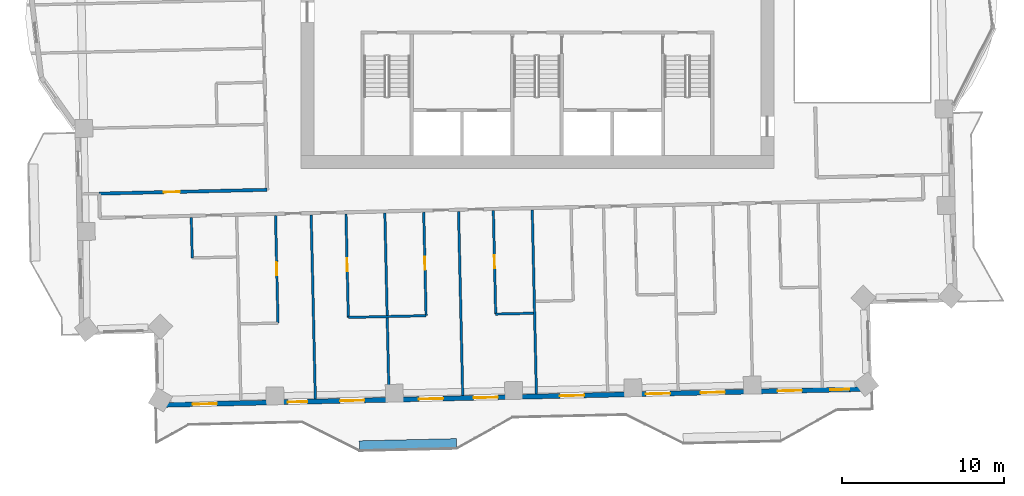
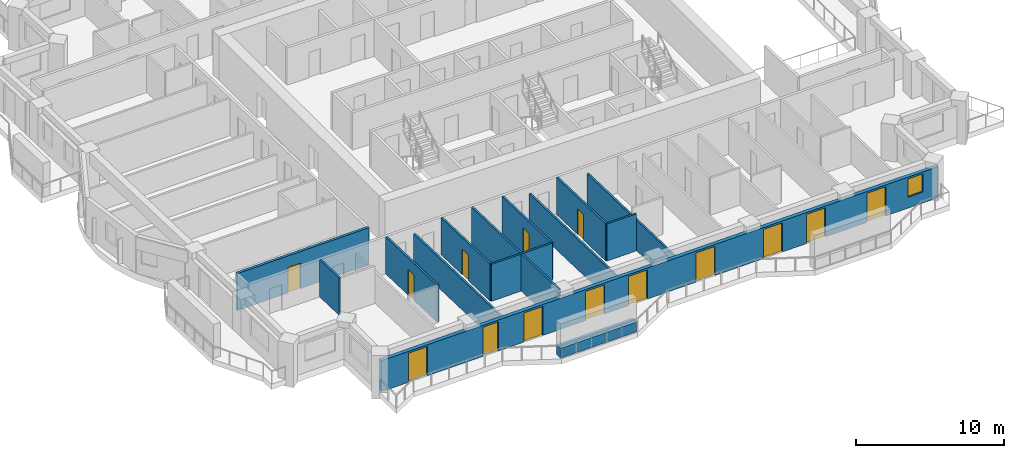
# One storey, part 6 of 17: 14 doors, 14 walls, 1 window, 15 openings.
"""IFC4 building model written with IfcOpenShell, lengths in metres."""

from ifc_helpers import new_model, si_unit, direction, frame, frame_2d, origin, place, context, subcontext, project, spatial, rectangle, extrude, material, layer, layer_set, type_object, element, fill, save


model = new_model("IFC4")

# Units and contexts
model_context = context("Model", 3, precision=1e-05, world=origin(), true_north=direction((0.0, 1.0)))
body_context = subcontext(model_context, "Body", "Model", "MODEL_VIEW")
ifc_project = project(units=[si_unit("LENGTHUNIT", "METRE"), si_unit("AREAUNIT", "SQUARE_METRE"), si_unit("VOLUMEUNIT", "CUBIC_METRE"), si_unit("PLANEANGLEUNIT", "RADIAN"), si_unit("MASSUNIT", "GRAM", prefix="KILO")], contexts=[model_context])

# Site, building, storey
site_placement = place(None, origin())
site = spatial("IfcSite", under=ifc_project, at=site_placement, CompositionType="ELEMENT")
building_placement = place(site_placement, origin())
building = spatial("IfcBuilding", under=site, at=building_placement, Name="Mangrove Gate Tower", CompositionType="ELEMENT")
storey_placement = place(building_placement, frame((0.0, 0.0, 234.699951171875)))
storey = spatial("IfcBuildingStorey", under=building, at=storey_placement, Name="L59", CompositionType="ELEMENT", Elevation=234.699951171875)

# Wall, opening, door
ifc_material_1 = material(Name="Gypsum board on steel stud, EI 60", Category="steel")
ifc_layer_1 = layer(ifc_material_1, 0.199951171875)
ifc_layer_set_1 = layer_set([ifc_layer_1], Name="Corridor wall EI 60")
wall_type_1 = type_object("IfcWallType", Name="Corridor wall EI 60", PredefinedType="PARTITIONING", material=ifc_layer_set_1)
wall_1_placement = place(storey_placement, frame((-27.050048828125, -13.14990234375, 0.0), z_axis=(0.0, 0.0, 1.0), x_axis=(0.999743679035, 0.022640146404, 0.0)))
wall_1 = element("IfcWall", 1, at=wall_1_placement, inside=storey, type_object=wall_type_1, Name="WALL-L59-033", PredefinedType="PARTITIONING", context=body_context, shape_type="SweptSolid", body=[
    extrude(rectangle(XDim=10.373779296875, YDim=0.199951171875, at=frame_2d((5.18701171875, 0.0))), origin(), (0.0, 0.0, 1.0), 3.050048828125),
])
opening_1_placement = place(wall_1_placement, frame((3.987060546875, 0.0, 0.0)))
opening_1 = element("IfcOpeningElement", 2, at=opening_1_placement, cuts=wall_1, Name="Opening AD", PredefinedType="OPENING", context=body_context, shape_type="SweptSolid", body=[
    extrude(rectangle(XDim=1.0, YDim=2.10009765625, at=frame_2d((0.5, 1.050048828125))), frame((0.0, 0.10986328125, 0.0), z_axis=(0.0, -1.0, 0.0), x_axis=(1.0, 0.0, 0.0)), (0.0, 0.0, 1.0), 0.219970703125),
])
ifc_material_2 = material(Name="Timber door leaf", Category="wood")
door_type_1 = type_object("IfcDoorType", Name="Amenity door 1000", OperationType="SINGLE_SWING_LEFT", PredefinedType="DOOR", material=ifc_material_2)
door_1_placement = place(opening_1_placement, origin())
door_1 = element("IfcDoor", 3, at=door_1_placement, inside=storey, type_object=door_type_1, Name="DOOR-L59-GAM-c5b", OperationType="SINGLE_SWING_LEFT", OverallHeight=2.10009765625, OverallWidth=1.0, PredefinedType="DOOR", context=body_context, shape_type="SweptSolid", body=[
    extrude(rectangle(XDim=1.0, YDim=2.10009765625, at=frame_2d((0.5, 1.050048828125))), frame((0.0, 0.02490234375, 0.0), z_axis=(0.0, -1.0, 0.0), x_axis=(1.0, 0.0, 0.0)), (0.0, 0.0, 1.0), 0.050048828125),
])
fill(opening_1, door_1)

# Wall, openings, doors, window
ifc_material_3 = material(Name="Limestone", Category="masonry")
ifc_layer_2 = layer(ifc_material_3, 0.0400390625, Name="Limestone cladding")
ifc_material_4 = material(Name="Ventilated air gap")
ifc_layer_3 = layer(ifc_material_4, 0.0400390625, Name="Ventilated cavity")
ifc_material_5 = material(Name="Mineral wool insulation")
ifc_layer_4 = layer(ifc_material_5, 0.06005859375, Name="Insulation")
ifc_material_6 = material(Name="Breather membrane")
ifc_layer_5 = layer(ifc_material_6, 0.001953125, Name="Breather membrane")
ifc_material_7 = material(Name="Concrete C20/25 blockwork", Category="masonry")
ifc_layer_6 = layer(ifc_material_7, 0.14990234375, Name="Blockwork backing wall")
ifc_material_8 = material(Name="Gypsum plaster")
ifc_layer_7 = layer(ifc_material_8, 0.008056640625, Name="Internal plaster")
ifc_layer_set_2 = layer_set([ifc_layer_2, ifc_layer_3, ifc_layer_4, ifc_layer_5, ifc_layer_6, ifc_layer_7], Name="External wall 300 limestone cladding")
wall_type_2 = type_object("IfcWallType", Name="External wall 300 limestone cladding", PredefinedType="SOLIDWALL", material=ifc_layer_set_2)
wall_2_placement = place(storey_placement, frame((-23.403076171875, -26.200927734375, 0.0), z_axis=(0.0, 0.0, 1.0), x_axis=(0.999742770494, 0.022680230258, 0.0)))
wall_2 = element("IfcWall", 4, at=wall_2_placement, inside=storey, type_object=wall_type_2, Name="WALL-L59-S13", PredefinedType="SOLIDWALL", context=body_context, shape_type="SweptSolid", body=[
    extrude(rectangle(XDim=43.908203125, YDim=0.300048828125, at=frame_2d((21.9541015625, 0.0))), origin(), (0.0, 0.0, 1.0), 2.550048828125),
])
opening_2_placement = place(wall_2_placement, frame((2.1240234375, 0.0, 0.0)))
opening_2 = element("IfcOpeningElement", 5, at=opening_2_placement, cuts=wall_2, Name="Opening BD1", PredefinedType="OPENING", context=body_context, shape_type="SweptSolid", body=[
    extrude(rectangle(XDim=1.5, YDim=2.39990234375, at=frame_2d((0.75, 1.199951171875))), frame((0.0, 0.159912109375, 0.0), z_axis=(0.0, -1.0, 0.0), x_axis=(1.0, 0.0, 0.0)), (0.0, 0.0, 1.0), 0.320068359375),
])
opening_3_placement = place(wall_2_placement, frame((8.009033203125, 0.0, 0.0)))
opening_3 = element("IfcOpeningElement", 6, at=opening_3_placement, cuts=wall_2, Name="Opening BD2", PredefinedType="OPENING", context=body_context, shape_type="SweptSolid", body=[
    extrude(rectangle(XDim=1.199951171875, YDim=2.39990234375, at=frame_2d((0.60009765625, 1.199951171875))), frame((0.0, 0.159912109375, 0.0), z_axis=(0.0, -1.0, 0.0), x_axis=(1.0, 0.0, 0.0)), (0.0, 0.0, 1.0), 0.320068359375),
])
opening_4_placement = place(wall_2_placement, frame((11.22509765625, 0.0, 0.0)))
opening_4 = element("IfcOpeningElement", 7, at=opening_4_placement, cuts=wall_2, Name="Opening BD1", PredefinedType="OPENING", context=body_context, shape_type="SweptSolid", body=[
    extrude(rectangle(XDim=1.5, YDim=2.39990234375, at=frame_2d((0.75, 1.199951171875))), frame((0.0, 0.159912109375, 0.0), z_axis=(0.0, -1.0, 0.0), x_axis=(1.0, 0.0, 0.0)), (0.0, 0.0, 1.0), 0.320068359375),
])
opening_5_placement = place(wall_2_placement, frame((16.093017578125, 0.0, 0.0)))
opening_5 = element("IfcOpeningElement", 8, at=opening_5_placement, cuts=wall_2, Name="Opening BD1", PredefinedType="OPENING", context=body_context, shape_type="SweptSolid", body=[
    extrude(rectangle(XDim=1.5, YDim=2.39990234375, at=frame_2d((0.75, 1.199951171875))), frame((0.0, 0.159912109375, 0.0), z_axis=(0.0, -1.0, 0.0), x_axis=(1.0, 0.0, 0.0)), (0.0, 0.0, 1.0), 0.320068359375),
])
opening_6_placement = place(wall_2_placement, frame((19.47705078125, 0.0, 0.0)))
opening_6 = element("IfcOpeningElement", 9, at=opening_6_placement, cuts=wall_2, Name="Opening BD1", PredefinedType="OPENING", context=body_context, shape_type="SweptSolid", body=[
    extrude(rectangle(XDim=1.5, YDim=2.39990234375, at=frame_2d((0.75, 1.199951171875))), frame((0.0, 0.159912109375, 0.0), z_axis=(0.0, -1.0, 0.0), x_axis=(1.0, 0.0, 0.0)), (0.0, 0.0, 1.0), 0.320068359375),
])
opening_7_placement = place(wall_2_placement, frame((24.800048828125, 0.0, 0.0)))
opening_7 = element("IfcOpeningElement", 10, at=opening_7_placement, cuts=wall_2, Name="Opening BD1", PredefinedType="OPENING", context=body_context, shape_type="SweptSolid", body=[
    extrude(rectangle(XDim=1.5, YDim=2.39990234375, at=frame_2d((0.75, 1.199951171875))), frame((0.0, 0.159912109375, 0.0), z_axis=(0.0, -1.0, 0.0), x_axis=(1.0, 0.0, 0.0)), (0.0, 0.0, 1.0), 0.320068359375),
])
opening_8_placement = place(wall_2_placement, frame((30.111083984375, 0.0, 0.0)))
opening_8 = element("IfcOpeningElement", 11, at=opening_8_placement, cuts=wall_2, Name="Opening BD1", PredefinedType="OPENING", context=body_context, shape_type="SweptSolid", body=[
    extrude(rectangle(XDim=1.5, YDim=2.39990234375, at=frame_2d((0.75, 1.199951171875))), frame((0.0, 0.159912109375, 0.0), z_axis=(0.0, -1.0, 0.0), x_axis=(1.0, 0.0, 0.0)), (0.0, 0.0, 1.0), 0.320068359375),
])
opening_9_placement = place(wall_2_placement, frame((33.4951171875, 0.0, 0.0)))
opening_9 = element("IfcOpeningElement", 12, at=opening_9_placement, cuts=wall_2, Name="Opening BD1", PredefinedType="OPENING", context=body_context, shape_type="SweptSolid", body=[
    extrude(rectangle(XDim=1.5, YDim=2.39990234375, at=frame_2d((0.75, 1.199951171875))), frame((0.0, 0.159912109375, 0.0), z_axis=(0.0, -1.0, 0.0), x_axis=(1.0, 0.0, 0.0)), (0.0, 0.0, 1.0), 0.320068359375),
])
opening_10_placement = place(wall_2_placement, frame((38.2451171875, 0.0, 0.0)))
opening_10 = element("IfcOpeningElement", 13, at=opening_10_placement, cuts=wall_2, Name="Opening BD1", PredefinedType="OPENING", context=body_context, shape_type="SweptSolid", body=[
    extrude(rectangle(XDim=1.5, YDim=2.39990234375, at=frame_2d((0.75, 1.199951171875))), frame((0.0, 0.159912109375, 0.0), z_axis=(0.0, -1.0, 0.0), x_axis=(1.0, 0.0, 0.0)), (0.0, 0.0, 1.0), 0.320068359375),
])
opening_11_placement = place(wall_2_placement, frame((41.48193359375, 0.0, 0.89990234375)))
opening_11 = element("IfcOpeningElement", 14, at=opening_11_placement, cuts=wall_2, Name="Opening W1", PredefinedType="OPENING", context=body_context, shape_type="SweptSolid", body=[
    extrude(rectangle(XDim=1.199951171875, YDim=1.5, at=frame_2d((0.60009765625, 0.75))), frame((0.0, 0.159912109375, 0.0), z_axis=(0.0, -1.0, 0.0), x_axis=(1.0, 0.0, 0.0)), (0.0, 0.0, 1.0), 0.320068359375),
])
ifc_material_9 = material(Name="Aluminium frame with laminated clear glass", Category="aluminium")
door_type_2 = type_object("IfcDoorType", Name="Balcony sliding door 1200x2400", OperationType="SLIDING_TO_LEFT", PredefinedType="DOOR", material=ifc_material_9)
door_2_placement = place(opening_3_placement, origin())
door_2 = element("IfcDoor", 15, at=door_2_placement, inside=storey, type_object=door_type_2, Name="DOOR-L59-S13-2", OperationType="SLIDING_TO_LEFT", OverallHeight=2.39990234375, OverallWidth=1.199951171875, PredefinedType="DOOR", context=body_context, shape_type="SweptSolid", body=[
    extrude(rectangle(XDim=1.199951171875, YDim=2.39990234375, at=frame_2d((0.60009765625, 1.199951171875))), frame((0.0, 0.02490234375, 0.0), z_axis=(0.0, -1.0, 0.0), x_axis=(1.0, 0.0, 0.0)), (0.0, 0.0, 1.0), 0.050048828125),
])
fill(opening_3, door_2)
ifc_material_10 = material(Name="Aluminium frame with laminated clear glass", Category="aluminium")
door_type_3 = type_object("IfcDoorType", Name="Balcony sliding door 1500x2400", OperationType="SLIDING_TO_LEFT", PredefinedType="DOOR", material=ifc_material_10)
door_3_placement = place(opening_2_placement, origin())
door_3 = element("IfcDoor", 16, at=door_3_placement, inside=storey, type_object=door_type_3, Name="DOOR-L59-S13-1", OperationType="SLIDING_TO_LEFT", OverallHeight=2.39990234375, OverallWidth=1.5, PredefinedType="DOOR", context=body_context, shape_type="SweptSolid", body=[
    extrude(rectangle(XDim=1.5, YDim=2.39990234375, at=frame_2d((0.75, 1.199951171875))), frame((0.0, 0.02490234375, 0.0), z_axis=(0.0, -1.0, 0.0), x_axis=(1.0, 0.0, 0.0)), (0.0, 0.0, 1.0), 0.050048828125),
])
fill(opening_2, door_3)
door_4_placement = place(opening_4_placement, origin())
door_4 = element("IfcDoor", 17, at=door_4_placement, inside=storey, type_object=door_type_3, Name="DOOR-L59-S13-3", OperationType="SLIDING_TO_LEFT", OverallHeight=2.39990234375, OverallWidth=1.5, PredefinedType="DOOR", context=body_context, shape_type="SweptSolid", body=[
    extrude(rectangle(XDim=1.5, YDim=2.39990234375, at=frame_2d((0.75, 1.199951171875))), frame((0.0, 0.02490234375, 0.0), z_axis=(0.0, -1.0, 0.0), x_axis=(1.0, 0.0, 0.0)), (0.0, 0.0, 1.0), 0.050048828125),
])
fill(opening_4, door_4)
door_5_placement = place(opening_5_placement, origin())
door_5 = element("IfcDoor", 18, at=door_5_placement, inside=storey, type_object=door_type_3, Name="DOOR-L59-S13-4", OperationType="SLIDING_TO_LEFT", OverallHeight=2.39990234375, OverallWidth=1.5, PredefinedType="DOOR", context=body_context, shape_type="SweptSolid", body=[
    extrude(rectangle(XDim=1.5, YDim=2.39990234375, at=frame_2d((0.75, 1.199951171875))), frame((0.0, 0.02490234375, 0.0), z_axis=(0.0, -1.0, 0.0), x_axis=(1.0, 0.0, 0.0)), (0.0, 0.0, 1.0), 0.050048828125),
])
fill(opening_5, door_5)
door_6_placement = place(opening_6_placement, origin())
door_6 = element("IfcDoor", 19, at=door_6_placement, inside=storey, type_object=door_type_3, Name="DOOR-L59-S13-5", OperationType="SLIDING_TO_LEFT", OverallHeight=2.39990234375, OverallWidth=1.5, PredefinedType="DOOR", context=body_context, shape_type="SweptSolid", body=[
    extrude(rectangle(XDim=1.5, YDim=2.39990234375, at=frame_2d((0.75, 1.199951171875))), frame((0.0, 0.02490234375, 0.0), z_axis=(0.0, -1.0, 0.0), x_axis=(1.0, 0.0, 0.0)), (0.0, 0.0, 1.0), 0.050048828125),
])
fill(opening_6, door_6)
door_7_placement = place(opening_7_placement, origin())
door_7 = element("IfcDoor", 20, at=door_7_placement, inside=storey, type_object=door_type_3, Name="DOOR-L59-S13-6", OperationType="SLIDING_TO_LEFT", OverallHeight=2.39990234375, OverallWidth=1.5, PredefinedType="DOOR", context=body_context, shape_type="SweptSolid", body=[
    extrude(rectangle(XDim=1.5, YDim=2.39990234375, at=frame_2d((0.75, 1.199951171875))), frame((0.0, 0.02490234375, 0.0), z_axis=(0.0, -1.0, 0.0), x_axis=(1.0, 0.0, 0.0)), (0.0, 0.0, 1.0), 0.050048828125),
])
fill(opening_7, door_7)
door_8_placement = place(opening_8_placement, origin())
door_8 = element("IfcDoor", 21, at=door_8_placement, inside=storey, type_object=door_type_3, Name="DOOR-L59-S13-7", OperationType="SLIDING_TO_LEFT", OverallHeight=2.39990234375, OverallWidth=1.5, PredefinedType="DOOR", context=body_context, shape_type="SweptSolid", body=[
    extrude(rectangle(XDim=1.5, YDim=2.39990234375, at=frame_2d((0.75, 1.199951171875))), frame((0.0, 0.02490234375, 0.0), z_axis=(0.0, -1.0, 0.0), x_axis=(1.0, 0.0, 0.0)), (0.0, 0.0, 1.0), 0.050048828125),
])
fill(opening_8, door_8)
door_9_placement = place(opening_9_placement, origin())
door_9 = element("IfcDoor", 22, at=door_9_placement, inside=storey, type_object=door_type_3, Name="DOOR-L59-S13-8", OperationType="SLIDING_TO_LEFT", OverallHeight=2.39990234375, OverallWidth=1.5, PredefinedType="DOOR", context=body_context, shape_type="SweptSolid", body=[
    extrude(rectangle(XDim=1.5, YDim=2.39990234375, at=frame_2d((0.75, 1.199951171875))), frame((0.0, 0.02490234375, 0.0), z_axis=(0.0, -1.0, 0.0), x_axis=(1.0, 0.0, 0.0)), (0.0, 0.0, 1.0), 0.050048828125),
])
fill(opening_9, door_9)
door_10_placement = place(opening_10_placement, origin())
door_10 = element("IfcDoor", 23, at=door_10_placement, inside=storey, type_object=door_type_3, Name="DOOR-L59-S13-9", OperationType="SLIDING_TO_LEFT", OverallHeight=2.39990234375, OverallWidth=1.5, PredefinedType="DOOR", context=body_context, shape_type="SweptSolid", body=[
    extrude(rectangle(XDim=1.5, YDim=2.39990234375, at=frame_2d((0.75, 1.199951171875))), frame((0.0, 0.02490234375, 0.0), z_axis=(0.0, -1.0, 0.0), x_axis=(1.0, 0.0, 0.0)), (0.0, 0.0, 1.0), 0.050048828125),
])
fill(opening_10, door_10)
ifc_material_11 = material(Name="Aluminium frame with double-glazed low-e glass", Category="aluminium")
window_type = type_object("IfcWindowType", Name="Side lite 1200x1500", PartitioningType="SINGLE_PANEL", PredefinedType="WINDOW", material=ifc_material_11)
window_placement = place(opening_11_placement, origin())
window = element("IfcWindow", 24, at=window_placement, inside=storey, type_object=window_type, Name="WIN-L59-S13-10", OverallHeight=1.5, OverallWidth=1.199951171875, PartitioningType="SINGLE_PANEL", PredefinedType="WINDOW", context=body_context, shape_type="SweptSolid", body=[
    extrude(rectangle(XDim=1.199951171875, YDim=1.5, at=frame_2d((0.60009765625, 0.75))), frame((0.0, 0.030029296875, 0.0), z_axis=(0.0, -1.0, 0.0), x_axis=(1.0, 0.0, 0.0)), (0.0, 0.0, 1.0), 0.06005859375),
])
fill(opening_11, window)

# Walls
ifc_material_12 = material(Name="Gypsum board on steel stud, EI 60", Category="steel")
ifc_layer_8 = layer(ifc_material_12, 0.14990234375)
ifc_layer_set_3 = layer_set([ifc_layer_8], Name="Party wall 150 EI 60")
wall_type_3 = type_object("IfcWallType", Name="Party wall 150 EI 60", PredefinedType="PARTITIONING", material=ifc_layer_set_3)
wall_3_placement = place(storey_placement, frame((-13.705078125, -25.8310546875, 0.0), z_axis=(0.0, 0.0, 1.0), x_axis=(-0.022662905301, 0.999743163379, 0.0)))
element("IfcWall", 25, at=wall_3_placement, inside=storey, type_object=wall_type_3, Name="WALL-L59-002", PredefinedType="PARTITIONING", context=body_context, shape_type="SweptSolid", body=[
    extrude(rectangle(XDim=11.3759765625, YDim=0.14990234375, at=frame_2d((5.68798828125, 0.0))), origin(), (0.0, 0.0, 1.0), 2.5),
])
wall_4_placement = place(storey_placement, frame((-9.156005859375, -25.72802734375, 0.0), z_axis=(0.0, 0.0, 1.0), x_axis=(-0.022684355347, 0.999742676904, 0.0)))
element("IfcWall", 26, at=wall_4_placement, inside=storey, type_object=wall_type_3, Name="WALL-L59-003", PredefinedType="PARTITIONING", context=body_context, shape_type="SweptSolid", body=[
    extrude(rectangle(XDim=11.3759765625, YDim=0.14990234375, at=frame_2d((5.68798828125, 0.0))), origin(), (0.0, 0.0, 1.0), 3.050048828125),
])
for number, where, z_axis, x_axis, name in (
    (27, (-4.60693359375, -25.6240234375, 0.0), (0.0, 0.0, 1.0), (-0.022684355347, 0.999742676904, 0.0), "WALL-L59-004"),
    (28, (-0.05810546875, -25.52099609375, 0.0), (0.0, 0.0, 1.0), (-0.022662905301, 0.999743163379, 0.0), "WALL-L59-005"),
):
    element("IfcWall", number, at=place(storey_placement, frame(where, z_axis=z_axis, x_axis=x_axis)), inside=storey, type_object=wall_type_3, Name=name, PredefinedType="PARTITIONING", context=body_context, shape_type="SweptSolid", body=[
        extrude(rectangle(XDim=11.3759765625, YDim=0.14990234375, at=frame_2d((5.68798828125, 0.0))), origin(), (0.0, 0.0, 1.0), 2.5),
    ])

# Wall, opening, door
wall_5_placement = place(storey_placement, frame((-16.010986328125, -21.14599609375, 0.0), z_axis=(0.0, 0.0, 1.0), x_axis=(-0.022760662159, 0.999740942574, 0.0)))
wall_5 = element("IfcWall", 29, at=wall_5_placement, inside=storey, type_object=wall_type_3, Name="WALL-L59-010", PredefinedType="PARTITIONING", context=body_context, shape_type="SweptSolid", body=[
    extrude(rectangle(XDim=6.6396484375, YDim=0.14990234375, at=frame_2d((3.31982421875, 0.0))), origin(), (0.0, 0.0, 1.0), 3.050048828125),
])
opening_12_placement = place(wall_5_placement, frame((2.969970703125, 0.0, 0.0)))
opening_12 = element("IfcOpeningElement", 30, at=opening_12_placement, cuts=wall_5, Name="Opening ED", PredefinedType="OPENING", context=body_context, shape_type="SweptSolid", body=[
    extrude(rectangle(XDim=0.800048828125, YDim=2.10009765625, at=frame_2d((0.39990234375, 1.050048828125))), frame((0.0, 0.0849609375, 0.0), z_axis=(0.0, -1.0, 0.0), x_axis=(1.0, 0.0, 0.0)), (0.0, 0.0, 1.0), 0.169921875),
])
ifc_material_13 = material(Name="Timber door leaf", Category="wood")
door_type_4 = type_object("IfcDoorType", Name="En-suite door 800", OperationType="SINGLE_SWING_LEFT", PredefinedType="DOOR", material=ifc_material_13)
door_11_placement = place(opening_12_placement, origin())
door_11 = element("IfcDoor", 31, at=door_11_placement, inside=storey, type_object=door_type_4, Name="DOOR-L59-ENS-c101", OperationType="SINGLE_SWING_LEFT", OverallHeight=2.10009765625, OverallWidth=0.800048828125, PredefinedType="DOOR", context=body_context, shape_type="SweptSolid", body=[
    extrude(rectangle(XDim=0.800048828125, YDim=2.10009765625, at=frame_2d((0.39990234375, 1.050048828125))), frame((0.0, 0.02490234375, 0.0), z_axis=(0.0, -1.0, 0.0), x_axis=(1.0, 0.0, 0.0)), (0.0, 0.0, 1.0), 0.050048828125),
])
fill(opening_12, door_11)

wall_6_placement = place(storey_placement, frame((-11.66796875, -20.797119140625, 0.0), z_axis=(0.0, 0.0, 1.0), x_axis=(-0.022695368097, 0.999742426962, 0.0)))
wall_6 = element("IfcWall", 32, at=wall_6_placement, inside=storey, type_object=wall_type_3, Name="WALL-L59-014", PredefinedType="PARTITIONING", context=body_context, shape_type="SweptSolid", body=[
    extrude(rectangle(XDim=6.389892578125, YDim=0.14990234375, at=frame_2d((3.19482421875, 0.0))), origin(), (0.0, 0.0, 1.0), 3.050048828125),
])
opening_13_placement = place(wall_6_placement, frame((2.844970703125, 0.0, 0.0)))
opening_13 = element("IfcOpeningElement", 33, at=opening_13_placement, cuts=wall_6, Name="Opening ED", PredefinedType="OPENING", context=body_context, shape_type="SweptSolid", body=[
    extrude(rectangle(XDim=0.800048828125, YDim=2.10009765625, at=frame_2d((0.39990234375, 1.050048828125))), frame((0.0, 0.0849609375, 0.0), z_axis=(0.0, -1.0, 0.0), x_axis=(1.0, 0.0, 0.0)), (0.0, 0.0, 1.0), 0.169921875),
])
door_12_placement = place(opening_13_placement, origin())
door_12 = element("IfcDoor", 34, at=door_12_placement, inside=storey, type_object=door_type_4, Name="DOOR-L59-ENS-c102", OperationType="SINGLE_SWING_RIGHT", OverallHeight=2.10009765625, OverallWidth=0.800048828125, PredefinedType="DOOR", context=body_context, shape_type="SweptSolid", body=[
    extrude(rectangle(XDim=0.800048828125, YDim=2.10009765625, at=frame_2d((0.39990234375, 1.050048828125))), frame((0.0, 0.02490234375, 0.0), z_axis=(0.0, -1.0, 0.0), x_axis=(1.0, 0.0, 0.0)), (0.0, 0.0, 1.0), 0.050048828125),
])
fill(opening_13, door_12)

wall_7_placement = place(storey_placement, frame((-6.868896484375, -20.68798828125, 0.0), z_axis=(0.0, 0.0, 1.0), x_axis=(-0.022696235044, 0.99974240728, 0.0)))
wall_7 = element("IfcWall", 35, at=wall_7_placement, inside=storey, type_object=wall_type_3, Name="WALL-L59-015", PredefinedType="PARTITIONING", context=body_context, shape_type="SweptSolid", body=[
    extrude(rectangle(XDim=6.3896484375, YDim=0.14990234375, at=frame_2d((3.19482421875, 0.0))), origin(), (0.0, 0.0, 1.0), 3.050048828125),
])
opening_14_placement = place(wall_7_placement, frame((2.844970703125, 0.0, 0.0)))
opening_14 = element("IfcOpeningElement", 36, at=opening_14_placement, cuts=wall_7, Name="Opening ED", PredefinedType="OPENING", context=body_context, shape_type="SweptSolid", body=[
    extrude(rectangle(XDim=0.800048828125, YDim=2.10009765625, at=frame_2d((0.39990234375, 1.050048828125))), frame((0.0, 0.0849609375, 0.0), z_axis=(0.0, -1.0, 0.0), x_axis=(1.0, 0.0, 0.0)), (0.0, 0.0, 1.0), 0.169921875),
])
door_13_placement = place(opening_14_placement, origin())
door_13 = element("IfcDoor", 37, at=door_13_placement, inside=storey, type_object=door_type_4, Name="DOOR-L59-ENS-c103", OperationType="SINGLE_SWING_LEFT", OverallHeight=2.10009765625, OverallWidth=0.800048828125, PredefinedType="DOOR", context=body_context, shape_type="SweptSolid", body=[
    extrude(rectangle(XDim=0.800048828125, YDim=2.10009765625, at=frame_2d((0.39990234375, 1.050048828125))), frame((0.0, 0.02490234375, 0.0), z_axis=(0.0, -1.0, 0.0), x_axis=(1.0, 0.0, 0.0)), (0.0, 0.0, 1.0), 0.050048828125),
])
fill(opening_14, door_13)

wall_8_placement = place(storey_placement, frame((-2.571044921875, -20.591064453125, 0.0), z_axis=(0.0, 0.0, 1.0), x_axis=(-0.022695368097, 0.999742426962, 0.0)))
wall_8 = element("IfcWall", 38, at=wall_8_placement, inside=storey, type_object=wall_type_3, Name="WALL-L59-016", PredefinedType="PARTITIONING", context=body_context, shape_type="SweptSolid", body=[
    extrude(rectangle(XDim=6.389892578125, YDim=0.14990234375, at=frame_2d((3.19482421875, 0.0))), origin(), (0.0, 0.0, 1.0), 3.050048828125),
])
opening_15_placement = place(wall_8_placement, frame((2.844970703125, 0.0, 0.0)))
opening_15 = element("IfcOpeningElement", 39, at=opening_15_placement, cuts=wall_8, Name="Opening ED", PredefinedType="OPENING", context=body_context, shape_type="SweptSolid", body=[
    extrude(rectangle(XDim=0.800048828125, YDim=2.10009765625, at=frame_2d((0.39990234375, 1.050048828125))), frame((0.0, 0.0849609375, 0.0), z_axis=(0.0, -1.0, 0.0), x_axis=(1.0, 0.0, 0.0)), (0.0, 0.0, 1.0), 0.169921875),
])
door_14_placement = place(opening_15_placement, origin())
door_14 = element("IfcDoor", 40, at=door_14_placement, inside=storey, type_object=door_type_4, Name="DOOR-L59-ENS-c104", OperationType="SINGLE_SWING_RIGHT", OverallHeight=2.10009765625, OverallWidth=0.800048828125, PredefinedType="DOOR", context=body_context, shape_type="SweptSolid", body=[
    extrude(rectangle(XDim=0.800048828125, YDim=2.10009765625, at=frame_2d((0.39990234375, 1.050048828125))), frame((0.0, 0.02490234375, 0.0), z_axis=(0.0, -1.0, 0.0), x_axis=(1.0, 0.0, 0.0)), (0.0, 0.0, 1.0), 0.050048828125),
])
fill(opening_15, door_14)

# Walls
wall_9_placement = place(storey_placement, frame((-11.672119140625, -20.79296875, 0.0), z_axis=(0.0, 0.0, 1.0), x_axis=(0.999747191239, 0.022484519337, 0.0)))
element("IfcWall", 41, at=wall_9_placement, inside=storey, type_object=wall_type_3, Name="WALL-L59-017", PredefinedType="PARTITIONING", context=body_context, shape_type="SweptSolid", body=[
    extrude(rectangle(XDim=4.79931640625, YDim=0.14990234375, at=frame_2d((2.399658203125, 0.0))), origin(), (0.0, 0.0, 1.0), 3.050048828125),
])
wall_10_placement = place(storey_placement, frame((-2.574951171875, -20.5869140625, 0.0), z_axis=(0.0, 0.0, 1.0), x_axis=(0.999740478815, 0.022781023197, 0.0)))
element("IfcWall", 42, at=wall_10_placement, inside=storey, type_object=wall_type_3, Name="WALL-L59-018", PredefinedType="PARTITIONING", context=body_context, shape_type="SweptSolid", body=[
    extrude(rectangle(XDim=2.325439453125, YDim=0.14990234375, at=frame_2d((1.16259765625, 0.0))), origin(), (0.0, 0.0, 1.0), 3.050048828125),
])
wall_11_placement = place(storey_placement, frame((-21.303955078125, -17.125, 0.0), z_axis=(0.0, 0.0, 1.0), x_axis=(-0.022854521249, 0.999738801317, 0.0)))
element("IfcWall", 43, at=wall_11_placement, inside=storey, type_object=wall_type_3, Name="WALL-L59-025", PredefinedType="PARTITIONING", context=body_context, shape_type="SweptSolid", body=[
    extrude(rectangle(XDim=2.499755859375, YDim=0.14990234375, at=frame_2d((1.25, 0.0))), origin(), (0.0, 0.0, 1.0), 3.050048828125),
])
ifc_material_14 = material(Name="Concrete C32/40", Category="concrete")
ifc_layer_9 = layer(ifc_material_14, 0.199951171875, Name="Planter trough wall")
ifc_material_15 = material(Name="Bituminous waterproofing membrane")
ifc_layer_10 = layer(ifc_material_15, 0.0048828125, Name="Waterproofing")
ifc_material_16 = material(Name="Drainage board and gravel")
ifc_layer_11 = layer(ifc_material_16, 0.044921875, Name="Drainage layer")
ifc_material_17 = material(Name="Planting soil")
ifc_layer_12 = layer(ifc_material_17, 0.300048828125, Name="Growing medium")
ifc_layer_set_4 = layer_set([ifc_layer_9, ifc_layer_10, ifc_layer_11, ifc_layer_12], Name="Planter wall 550 C32/40")
wall_type_4 = type_object("IfcWallType", Name="Planter wall 550 C32/40", PredefinedType="USERDEFINED", material=ifc_layer_set_4)
wall_12_placement = place(storey_placement, frame((-10.989013671875, -28.68505859375, 0.0), z_axis=(0.0, 0.0, 1.0), x_axis=(0.999743178102, 0.022662255828, 0.0)))
element("IfcWall", 44, at=wall_12_placement, inside=storey, type_object=wall_type_4, Name="PLANTER L59 S0.1", ObjectType="PLANTER", PredefinedType="USERDEFINED", context=body_context, shape_type="SweptSolid", body=[
    extrude(rectangle(XDim=6.00048828125, YDim=0.550048828125, at=frame_2d((3.000244140625, 0.0))), origin(), (0.0, 0.0, 1.0), 0.800048828125),
])

save(model, "model.ifc")
